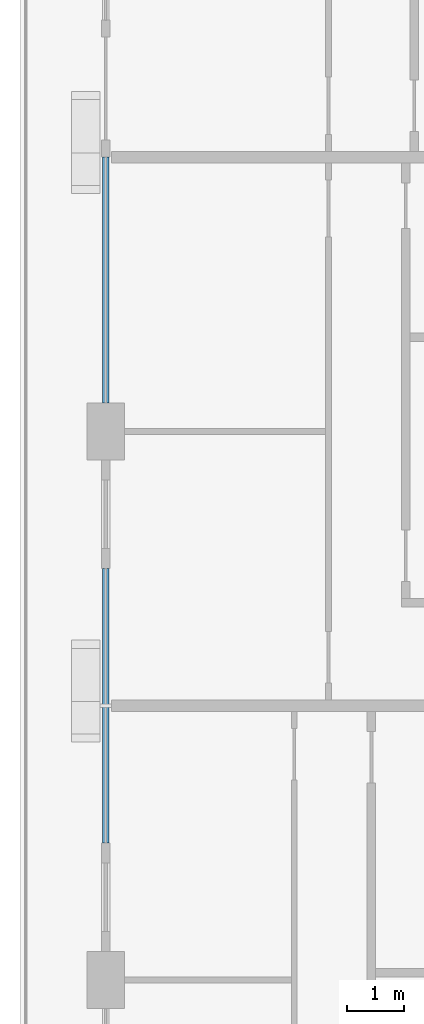
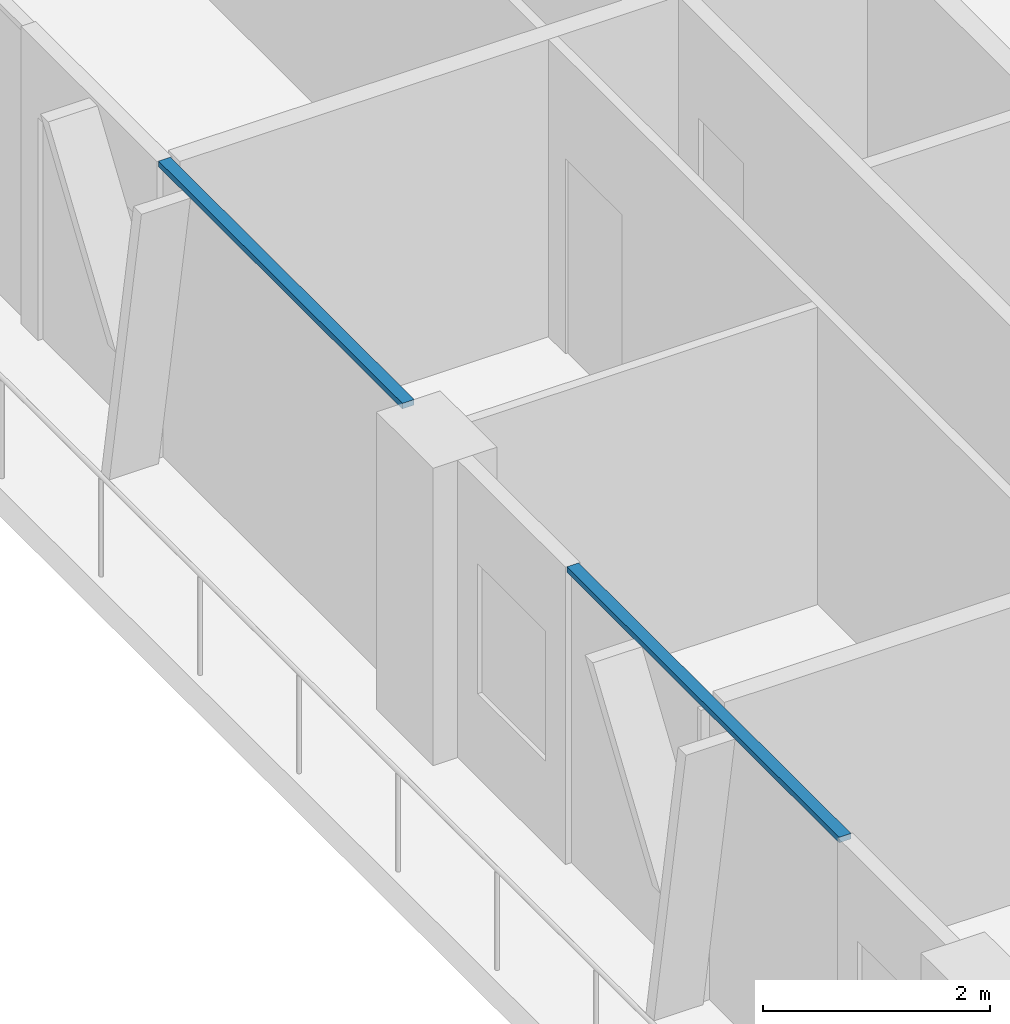
# One storey, part 3 of 22: 2 members, 2 elements without a shape of their own.
"""IFC4 building model written with IfcOpenShell, lengths in metres."""

from ifc_helpers import new_model, si_unit, direction, frame, origin, origin_2d, place, context, subcontext, project, spatial, rectangle, extrude, material, layer, layer_set, material_profile, profile_set, type_object, element, aggregate, save


model = new_model("IFC4")

# Units and contexts
model_context = context("Model", 3, precision=1e-05, world=origin(), true_north=direction((0.0, 1.0)))
body_context = subcontext(model_context, "Body", "Model", "MODEL_VIEW")
ifc_project = project(units=[si_unit("LENGTHUNIT", "METRE"), si_unit("AREAUNIT", "SQUARE_METRE"), si_unit("VOLUMEUNIT", "CUBIC_METRE"), si_unit("PLANEANGLEUNIT", "RADIAN"), si_unit("MASSUNIT", "GRAM", prefix="KILO")], contexts=[model_context])

# Site, building, storey
site_placement = place(None, origin())
site = spatial("IfcSite", under=ifc_project, at=site_placement, CompositionType="ELEMENT")
building_placement = place(site_placement, origin())
building = spatial("IfcBuilding", under=site, at=building_placement, Name="Madar Terraces", CompositionType="ELEMENT")
storey_placement = place(building_placement, frame((0.0, 0.0, 208.800048828125)))
storey = spatial("IfcBuildingStorey", under=building, at=storey_placement, Name="L54", CompositionType="ELEMENT", Elevation=208.800048828125)

# Curtain wall, member
ifc_material_1 = material(Name="Glass, ceramic frit dark grey, with black aluminium frame", Category="aluminium")
ifc_layer = layer(ifc_material_1, 0.199951171875)
ifc_layer_set = layer_set([ifc_layer], Name="Facade curtain wall, fritted glass")
curtain_wall_type = type_object("IfcCurtainWallType", Name="Facade curtain wall, fritted glass", PredefinedType="NOTDEFINED", material=ifc_layer_set)
curtain_wall_1_placement = place(storey_placement, origin())
curtain_wall_1 = element("IfcCurtainWall", 1, at=curtain_wall_1_placement, inside=storey, type_object=curtain_wall_type, Name="Outer skin curtain wall west bay 2", PredefinedType="NOTDEFINED")
ifc_material_2 = material(Name="Aluminium, black anodised", Category="aluminium")
ifc_material_profile = material_profile(ifc_material_2, rectangle(XDim=0.1201171875, YDim=0.06005859375, at=origin_2d()), Name="Facade transom 60x120")
ifc_profile_set = profile_set([ifc_material_profile], Name="Aluminium, black anodised")
member_type = type_object("IfcMemberType", Name="Facade transom 60x120", PredefinedType="USERDEFINED", material=ifc_profile_set)
member_1_placement = place(storey_placement, frame((4.800048828125, 33.60009765625, 3.169921875), z_axis=(0.0, -1.0, 0.0), x_axis=(1.0, 0.0, 0.0)))
member_1 = element("IfcMember", 2, at=member_1_placement, type_object=member_type, Name="Transom 2", ObjectType="TRANSOM", PredefinedType="USERDEFINED", context=body_context, shape_type="SweptSolid", body=[
    extrude(rectangle(XDim=0.1201171875, YDim=0.06005859375, at=origin_2d()), origin(), (0.0, 0.0, 1.0), 4.300048828125),
])
aggregate(curtain_wall_1, [member_1])

curtain_wall_2_placement = place(storey_placement, origin())
curtain_wall_2 = element("IfcCurtainWall", 3, at=curtain_wall_2_placement, inside=storey, type_object=curtain_wall_type, Name="Outer skin curtain wall west bay 3", PredefinedType="NOTDEFINED")
member_2_placement = place(storey_placement, frame((4.800048828125, 26.39990234375, 3.169921875), z_axis=(0.0, -1.0, 0.0), x_axis=(1.0, 0.0, 0.0)))
member_2 = element("IfcMember", 4, at=member_2_placement, type_object=member_type, Name="Transom 1", ObjectType="TRANSOM", PredefinedType="USERDEFINED", context=body_context, shape_type="SweptSolid", body=[
    extrude(rectangle(XDim=0.1201171875, YDim=0.06005859375, at=origin_2d()), origin(), (0.0, 0.0, 1.0), 4.7998046875),
])
aggregate(curtain_wall_2, [member_2])

save(model, "model.ifc")
